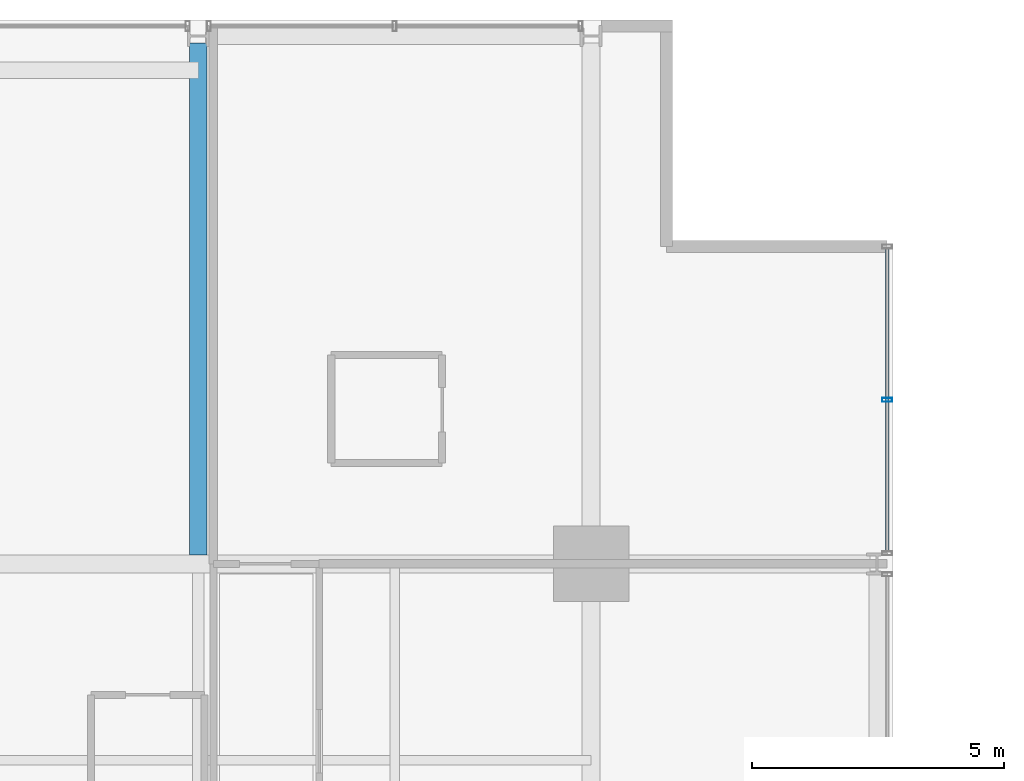
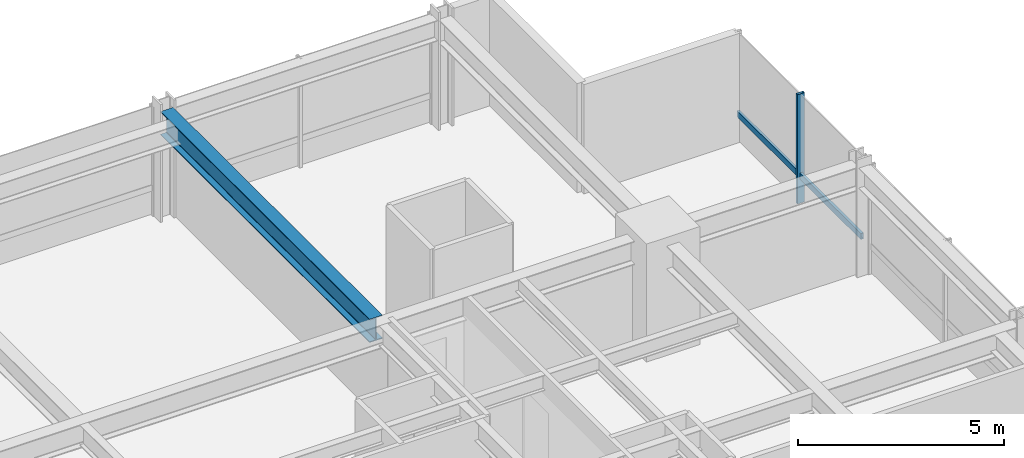
# One storey, part 24 of 33: 2 members, 1 beam, 1 element without a shape of its own.
"""IFC4 building model written with IfcOpenShell, lengths in metres."""

from ifc_helpers import new_model, si_unit, direction, frame, origin, origin_2d, place, context, subcontext, project, spatial, hollow_rectangle, i_section, extrude, material, layer, layer_set, material_profile, profile_set, type_object, element, aggregate, save


model = new_model("IFC4")

# Units and contexts
model_context = context("Model", 3, precision=1e-05, world=origin(), true_north=direction((0.0, 1.0)))
body_context = subcontext(model_context, "Body", "Model", "MODEL_VIEW")
ifc_project = project(units=[si_unit("LENGTHUNIT", "METRE"), si_unit("AREAUNIT", "SQUARE_METRE"), si_unit("VOLUMEUNIT", "CUBIC_METRE"), si_unit("PLANEANGLEUNIT", "RADIAN"), si_unit("MASSUNIT", "GRAM", prefix="KILO")], contexts=[model_context])

# Site, building, storey
site_placement = place(None, origin())
site = spatial("IfcSite", under=ifc_project, at=site_placement, CompositionType="ELEMENT")
building_placement = place(site_placement, origin())
building = spatial("IfcBuilding", under=site, at=building_placement, Name="Drelvath Grand Hotel", CompositionType="ELEMENT")
storey_placement = place(building_placement, frame((0.0, 0.0, 119.800048828125)))
storey = spatial("IfcBuildingStorey", under=building, at=storey_placement, Name="L30", CompositionType="ELEMENT", Elevation=119.800048828125)

# Curtain wall, members
ifc_material_1 = material(Name="Champagne Bronze Anodised Aluminium Frame", Category="aluminium")
ifc_layer = layer(ifc_material_1, 0.199951171875)
ifc_layer_set = layer_set([ifc_layer], Name="Champagne Bronze Anodised Aluminium Frame")
curtain_wall_type = type_object("IfcCurtainWallType", Name="Stick Curtain Wall CW-03 Champagne Bronze Mid-Rise", PredefinedType="NOTDEFINED", material=ifc_layer_set)
curtain_wall_placement = place(storey_placement, origin())
curtain_wall = element("IfcCurtainWall", 1, at=curtain_wall_placement, inside=storey, type_object=curtain_wall_type, Name="L30 CW-03 Curtain Wall CW03-L30-EN3", PredefinedType="NOTDEFINED")
ifc_material_profile_1 = material_profile(ifc_material_1, hollow_rectangle(XDim=0.074951171875, YDim=0.179931640625, WallThickness=0.0048828125, at=origin_2d()), Name="HSS180X75X5")
ifc_profile_set_1 = profile_set([ifc_material_profile_1], Name="Champagne Bronze Anodised Aluminium Frame")
member_type_1 = type_object("IfcMemberType", Name="Curtain Wall Horizontal Transom CW-03 HSS180X75X5", PredefinedType="USERDEFINED", material=ifc_profile_set_1)
member_1_placement = place(storey_placement, frame((22.080078125, 49.4599609375, 0.81005859375), z_axis=(0.0, -1.0, 0.0), x_axis=(1.0, 0.0, 0.0)))
member_1 = element("IfcMember", 2, at=member_1_placement, type_object=member_type_1, Name="CW03-L30-EN3 Sill Transom", ObjectType="TRANSOM", PredefinedType="USERDEFINED", context=body_context, shape_type="SweptSolid", body=[
    extrude(hollow_rectangle(XDim=0.074951171875, YDim=0.179931640625, WallThickness=0.0048828125, at=origin_2d()), origin(), (0.0, 0.0, 1.0), 6.010498046875),
])
ifc_material_profile_2 = material_profile(ifc_material_1, hollow_rectangle(XDim=0.080078125, YDim=0.199951171875, WallThickness=0.0048828125, at=origin_2d()), Name="HSS200X80X5")
ifc_profile_set_2 = profile_set([ifc_material_profile_2], Name="Champagne Bronze Anodised Aluminium Frame")
member_type_2 = type_object("IfcMemberType", Name="Curtain Wall Vertical Mullion CW-03 HSS200X80X5", PredefinedType="MULLION", material=ifc_profile_set_2)
member_2_placement = place(storey_placement, frame((22.080078125, 46.45458984375, 0.0), z_axis=(0.0, 0.0, 1.0), x_axis=(0.0, 1.0, 0.0)))
member_2 = element("IfcMember", 3, at=member_2_placement, type_object=member_type_2, Name="CW03-L30-EN3 Mullion 2", PredefinedType="MULLION", context=body_context, shape_type="SweptSolid", body=[
    extrude(hollow_rectangle(XDim=0.080078125, YDim=0.199951171875, WallThickness=0.0048828125, at=origin_2d()), origin(), (0.0, 0.0, 1.0), 3.239990234375),
])
aggregate(curtain_wall, [member_2, member_1])

# Beam
ifc_material_2 = material(Name="Steel ASTM A992 Gr 50", Category="steel")
ifc_material_profile_3 = material_profile(ifc_material_2, i_section(OverallWidth=0.354736328125, OverallDepth=0.695556640625, WebThickness=0.015380859375, FlangeThickness=0.025146484375, FilletRadius=0.02392578125, at=origin_2d()), Name="W27X146")
ifc_profile_set_3 = profile_set([ifc_material_profile_3], Name="Steel ASTM A992 Gr 50")
beam_type = type_object("IfcBeamType", Name="Primary Floor Girder W27X146", PredefinedType="BEAM", material=ifc_profile_set_3)
beam_placement = place(storey_placement, frame((8.39990234375, 43.37744140625, 2.892333984375), z_axis=(0.0, 1.0, 0.0), x_axis=(-1.0, 0.0, 0.0)))
element("IfcBeam", 4, at=beam_placement, inside=storey, type_object=beam_type, Name="L30 North Wing Girder 6", PredefinedType="BEAM", context=body_context, shape_type="SweptSolid", body=[
    extrude(i_section(OverallWidth=0.354736328125, OverallDepth=0.695556640625, WebThickness=0.015380859375, FlangeThickness=0.025146484375, FilletRadius=0.02392578125, at=origin_2d()), origin(), (0.0, 0.0, 1.0), 10.16259765625),
])

save(model, "model.ifc")
